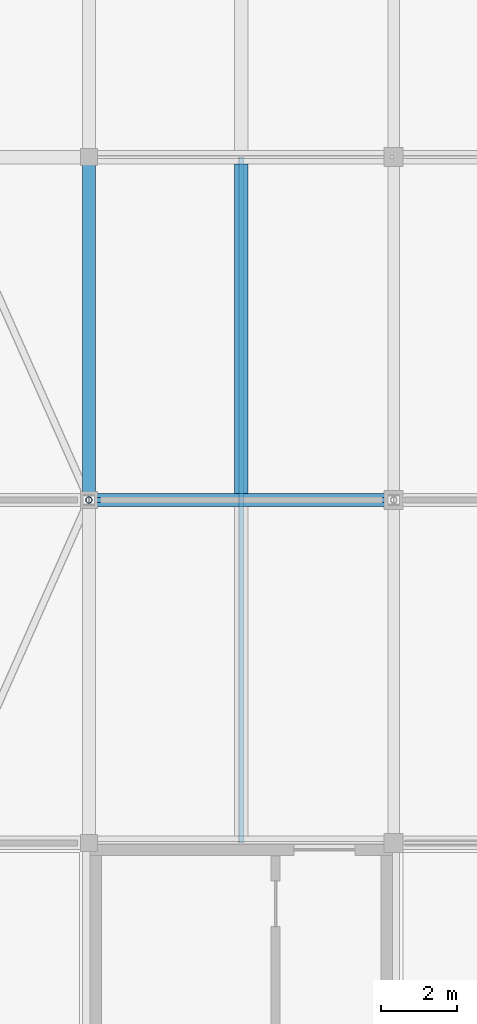
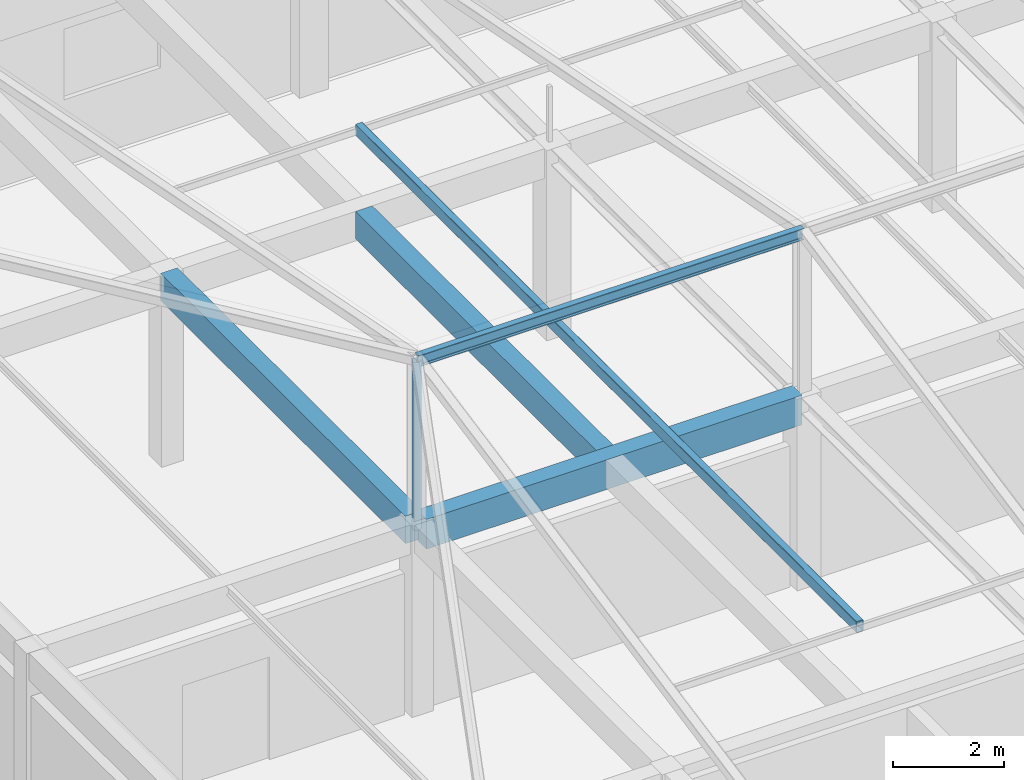
# One storey, part 10 of 65: 4 beams, 2 members.
"""IFC4 building model written with IfcOpenShell, lengths in metres."""

from ifc_helpers import new_model, si_unit, direction, frame, origin, origin_2d, place, context, subcontext, project, spatial, rectangle, hollow_rectangle, hollow_circle, i_section, extrude, material, material_profile, profile_set, type_object, element, save


model = new_model("IFC4")

# Units and contexts
model_context = context("Model", 3, precision=1e-05, world=origin(), true_north=direction((0.0, 1.0)))
body_context = subcontext(model_context, "Body", "Model", "MODEL_VIEW")
ifc_project = project(units=[si_unit("LENGTHUNIT", "METRE"), si_unit("AREAUNIT", "SQUARE_METRE"), si_unit("VOLUMEUNIT", "CUBIC_METRE"), si_unit("PLANEANGLEUNIT", "RADIAN"), si_unit("MASSUNIT", "GRAM", prefix="KILO")], contexts=[model_context])

# Site, building, storey
site_placement = place(None, origin())
site = spatial("IfcSite", under=ifc_project, at=site_placement, CompositionType="ELEMENT")
building_placement = place(site_placement, origin())
building = spatial("IfcBuilding", under=site, at=building_placement, Name="Varnabhumi Central Station", CompositionType="ELEMENT")
storey_placement = place(building_placement, frame((0.0, 0.0, 24.60009765625)))
storey = spatial("IfcBuildingStorey", under=building, at=storey_placement, Name="L05", CompositionType="ELEMENT", Elevation=24.60009765625)

# Beams
ifc_material_1 = material(Name="Structural steel E350", Category="steel")
ifc_material_profile_1 = material_profile(ifc_material_1, i_section(OverallWidth=0.125, OverallDepth=0.25, WebThickness=0.0068359375, FlangeThickness=0.012451171875, FilletRadius=0.012939453125, at=origin_2d()), Name="Structural steel E350", Category="steel")
ifc_profile_set_1 = profile_set([ifc_material_profile_1], Name="Structural steel E350")
beam_type_1 = type_object("IfcBeamType", Name="BM-PUR-ISMB250", PredefinedType="JOIST", material=ifc_profile_set_1)
beam_1_placement = place(storey_placement, frame((40.0, 18.0, 7.6298828125), z_axis=(1.0, 0.0, 0.0), x_axis=(0.0, 1.0, 0.0)))
element("IfcBeam", 1, at=beam_1_placement, inside=storey, type_object=beam_type_1, Name="Mission Roof Ridge Beam SW6E-2", PredefinedType="JOIST", context=body_context, shape_type="SweptSolid", body=[
    extrude(i_section(OverallWidth=0.125, OverallDepth=0.25, WebThickness=0.0068359375, FlangeThickness=0.012451171875, FilletRadius=0.012939453125, at=origin_2d()), origin(), (0.0, 0.0, 1.0), 8.0),
])
ifc_material_2 = material(Name="Concrete M40", Category="concrete")
ifc_material_profile_2 = material_profile(ifc_material_2, rectangle(XDim=0.35009765625, YDim=0.60009765625, at=origin_2d()), Name="Concrete M40", Category="concrete")
ifc_profile_set_2 = profile_set([ifc_material_profile_2], Name="Concrete M40")
beam_type_2 = type_object("IfcBeamType", Name="BM-RC-350x600", PredefinedType="BEAM", material=ifc_profile_set_2)
beam_2_placement = place(storey_placement, frame((40.0, 18.10009765625, 3.89990234375), z_axis=(0.0, 1.0, 0.0), x_axis=(-1.0, 0.0, 0.0)))
element("IfcBeam", 2, at=beam_2_placement, inside=storey, type_object=beam_type_2, Name="Beam L05-6:C-D", PredefinedType="BEAM", context=body_context, shape_type="SweptSolid", body=[
    extrude(rectangle(XDim=0.35009765625, YDim=0.60009765625, at=origin_2d()), origin(), (0.0, 0.0, 1.0), 8.7998046875),
])
ifc_material_profile_3 = material_profile(ifc_material_2, rectangle(XDim=0.35009765625, YDim=0.64990234375, at=origin_2d()), Name="Concrete M40", Category="concrete")
ifc_profile_set_3 = profile_set([ifc_material_profile_3], Name="Concrete M40")
beam_type_3 = type_object("IfcBeamType", Name="BM-RC-350x650", PredefinedType="BEAM", material=ifc_profile_set_3)
beam_3_placement = place(storey_placement, frame((40.10009765625, 18.0, 3.875), z_axis=(1.0, 0.0, 0.0), x_axis=(0.0, 1.0, 0.0)))
element("IfcBeam", 3, at=beam_3_placement, inside=storey, type_object=beam_type_3, Name="Beam L05-C:6-7", PredefinedType="BEAM", context=body_context, shape_type="SweptSolid", body=[
    extrude(rectangle(XDim=0.35009765625, YDim=0.64990234375, at=origin_2d()), origin(), (0.0, 0.0, 1.0), 7.7998046875),
])
ifc_material_profile_4 = material_profile(ifc_material_2, rectangle(XDim=0.35009765625, YDim=0.60009765625, at=origin_2d()), Name="Concrete M40", Category="concrete")
ifc_profile_set_4 = profile_set([ifc_material_profile_4], Name="Concrete M40")
beam_type_4 = type_object("IfcBeamType", Name="BM-RC-600x350", PredefinedType="JOIST", material=ifc_profile_set_4)
beam_4_placement = place(storey_placement, frame((44.0, 18.175048828125, 3.89990234375), z_axis=(0.0, 1.0, 0.0), x_axis=(-1.0, 0.0, 0.0)))
element("IfcBeam", 4, at=beam_4_placement, inside=storey, type_object=beam_type_4, Name="Secondary Joist L05-6/7:C-D", PredefinedType="JOIST", context=body_context, shape_type="SweptSolid", body=[
    extrude(rectangle(XDim=0.35009765625, YDim=0.60009765625, at=origin_2d()), origin(), (0.0, 0.0, 1.0), 8.64990234375),
])

# Members
ifc_material_profile_5 = material_profile(ifc_material_1, hollow_rectangle(XDim=0.14990234375, YDim=0.25, WallThickness=0.010009765625, InnerFilletRadius=0.010009765625, OuterFilletRadius=0.02001953125, at=origin_2d()), Name="Structural steel E350", Category="steel")
ifc_profile_set_5 = profile_set([ifc_material_profile_5], Name="Structural steel E350")
member_type_1 = type_object("IfcMemberType", Name="MBR-COLLAR-RHS", PredefinedType="COLLAR", material=ifc_profile_set_5)
member_1_placement = place(storey_placement, frame((44.0, 9.0, 5.844970703125), z_axis=(0.0, 1.0, 0.0), x_axis=(-1.0, 0.0, 0.0)))
element("IfcMember", 5, at=member_1_placement, inside=storey, type_object=member_type_1, Name="Mission Roof Collar Tie SW6E-2", PredefinedType="COLLAR", context=body_context, shape_type="SweptSolid", body=[
    extrude(hollow_rectangle(XDim=0.14990234375, YDim=0.25, WallThickness=0.010009765625, InnerFilletRadius=0.010009765625, OuterFilletRadius=0.02001953125, at=origin_2d()), origin(), (0.0, 0.0, 1.0), 18.0),
])
ifc_material_profile_6 = material_profile(ifc_material_1, hollow_circle(Radius=0.084228515625, WallThickness=0.008056640625, at=origin_2d()), Name="Structural steel E350", Category="steel")
ifc_profile_set_6 = profile_set([ifc_material_profile_6], Name="Structural steel E350")
member_type_2 = type_object("IfcMemberType", Name="MBR-STRUT-CHS168", PredefinedType="STRUT", material=ifc_profile_set_6)
member_2_placement = place(storey_placement, frame((40.0, 18.0, 3.949951171875), z_axis=(0.0, 0.0, 1.0), x_axis=(1.0, 0.0, 0.0)))
element("IfcMember", 6, at=member_2_placement, inside=storey, type_object=member_type_2, Name="Mission Roof King Strut SW6E-2", PredefinedType="STRUT", context=body_context, shape_type="SweptSolid", body=[
    extrude(hollow_circle(Radius=0.084228515625, WallThickness=0.008056640625, at=origin_2d()), origin(), (0.0, 0.0, 1.0), 3.679931640625),
])

save(model, "model.ifc")
